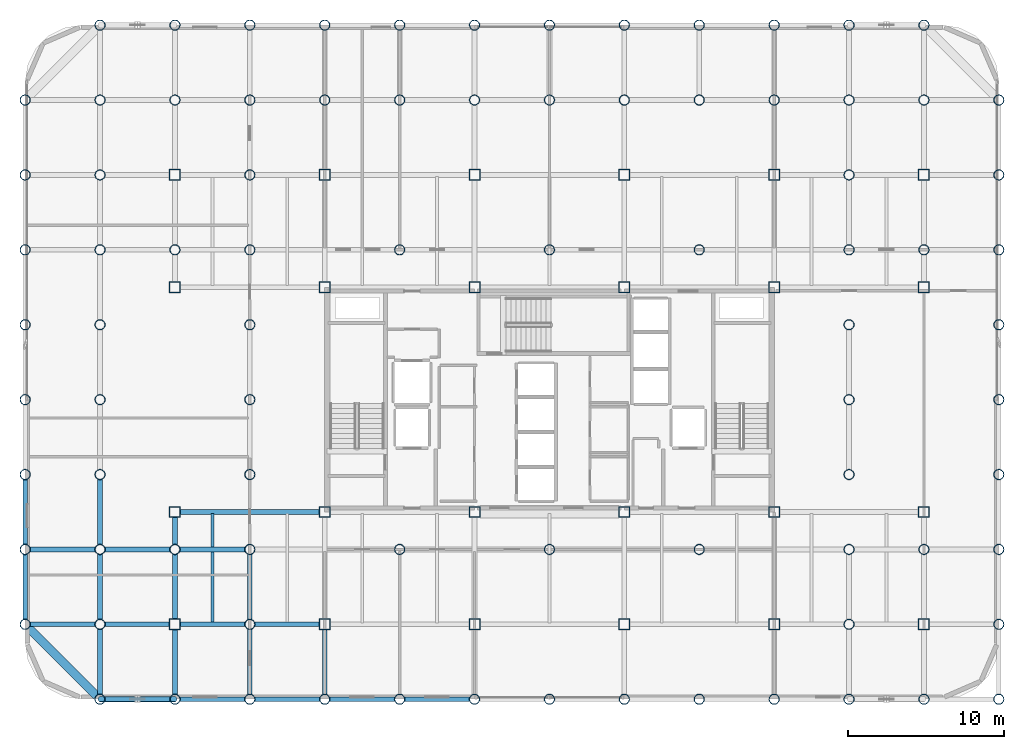
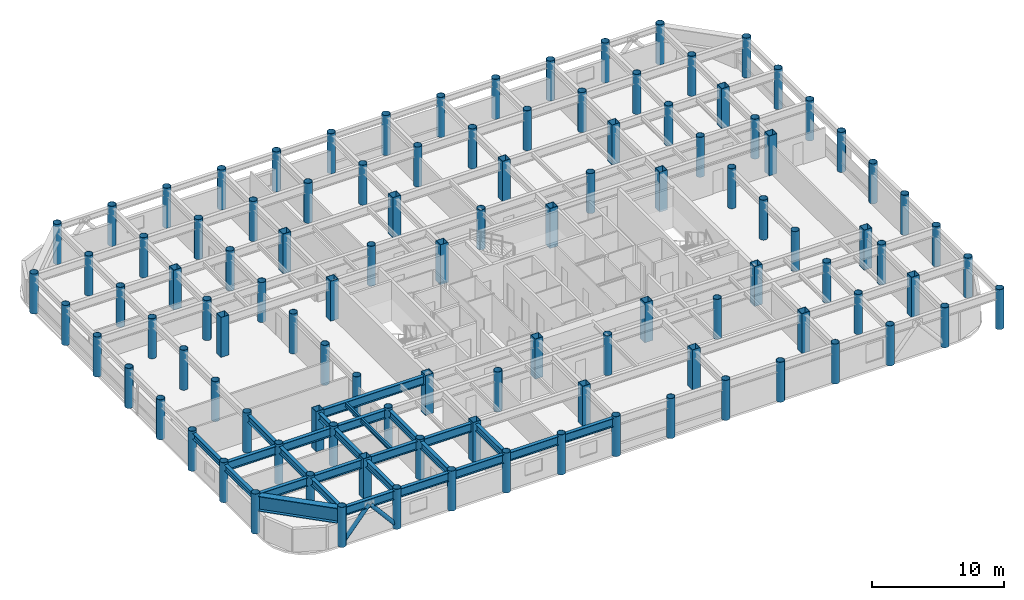
# One storey, part 1 of 19: 108 columns, 26 beams, 2 members.
"""IFC4 building model written with IfcOpenShell, lengths in metres."""

from ifc_helpers import new_model, si_unit, direction, frame, origin, origin_2d, place, context, subcontext, project, spatial, hollow_rectangle, hollow_circle, i_section, extrude, material, material_profile, profile_set, type_object, element, save


model = new_model("IFC4")

# Units and contexts
model_context = context("Model", 3, precision=1e-05, world=origin(), true_north=direction((0.0, 1.0)))
body_context = subcontext(model_context, "Body", "Model", "MODEL_VIEW")
ifc_project = project(units=[si_unit("LENGTHUNIT", "METRE"), si_unit("AREAUNIT", "SQUARE_METRE"), si_unit("VOLUMEUNIT", "CUBIC_METRE"), si_unit("PLANEANGLEUNIT", "RADIAN"), si_unit("MASSUNIT", "GRAM", prefix="KILO")], contexts=[model_context])

# Site, building, storey
site_placement = place(None, origin())
site = spatial("IfcSite", under=ifc_project, at=site_placement, CompositionType="ELEMENT")
building_placement = place(site_placement, origin())
building = spatial("IfcBuilding", under=site, at=building_placement, Name="Kallvorn Hotel Tower", CompositionType="ELEMENT")
storey_placement = place(building_placement, frame((0.0, 0.0, 147.0)))
storey = spatial("IfcBuildingStorey", under=building, at=storey_placement, Name="L36", CompositionType="ELEMENT", Elevation=147.0)

# Columns
ifc_material_1 = material(Name="Structural steel S355J2H", Category="steel")
ifc_material_profile_1 = material_profile(ifc_material_1, hollow_circle(Radius=0.330078125, WallThickness=0.028076171875, at=origin_2d()), Name="CHS 660x28")
ifc_profile_set_1 = profile_set([ifc_material_profile_1], Name="Structural steel S355J2H")
column_type_1 = type_object("IfcColumnType", Name="COL_CHS_660", PredefinedType="COLUMN", material=ifc_profile_set_1)
for number, where, z_axis, x_axis, name in (
    (1, (-33.60009765625, -14.39990234375, 0.0), (0.0, 0.0, 1.0), (1.0, 0.0, 0.0), "L36 Exoskeleton Column EC01"),
    (2, (-33.60009765625, -9.60009765625, 0.0), (0.0, 0.0, 1.0), (1.0, 0.0, 0.0), "L36 Exoskeleton Column EC02"),
    (3, (-33.60009765625, -4.800048828125, 0.0), (0.0, 0.0, 1.0), (1.0, 0.0, 0.0), "L36 Exoskeleton Column EC03"),
    (4, (-33.60009765625, 0.0, 0.0), (0.0, 0.0, 1.0), (1.0, 0.0, 0.0), "L36 Exoskeleton Column EC04"),
    (5, (-33.60009765625, 4.800048828125, 0.0), (0.0, 0.0, 1.0), (1.0, 0.0, 0.0), "L36 Exoskeleton Column EC05"),
    (6, (-33.60009765625, 9.60009765625, 0.0), (0.0, 0.0, 1.0), (1.0, 0.0, 0.0), "L36 Exoskeleton Column EC06"),
    (7, (-33.60009765625, 14.39990234375, 0.0), (0.0, 0.0, 1.0), (1.0, 0.0, 0.0), "L36 Exoskeleton Column EC07"),
    (8, (-33.60009765625, 19.199951171875, 0.0), (0.0, 0.0, 1.0), (1.0, 0.0, 0.0), "L36 Exoskeleton Column EC08"),
    (9, (-28.800048828125, -19.199951171875, 0.0), (0.0, 0.0, 1.0), (1.0, 0.0, 0.0), "L36 Exoskeleton Column EC09"),
    (10, (-28.800048828125, -14.39990234375, 0.0), (0.0, 0.0, 1.0), (1.0, 0.0, 0.0), "L36 Exoskeleton Column EC10"),
    (11, (-28.800048828125, -9.60009765625, 0.0), (0.0, 0.0, 1.0), (1.0, 0.0, 0.0), "L36 Exoskeleton Column EC11"),
    (12, (-28.800048828125, -4.800048828125, 0.0), (0.0, 0.0, 1.0), (1.0, 0.0, 0.0), "L36 Exoskeleton Column EC12"),
    (13, (-28.800048828125, 0.0, 0.0), (0.0, 0.0, 1.0), (1.0, 0.0, 0.0), "L36 Exoskeleton Column EC13"),
    (14, (-28.800048828125, 4.800048828125, 0.0), (0.0, 0.0, 1.0), (1.0, 0.0, 0.0), "L36 Exoskeleton Column EC14"),
    (15, (-28.800048828125, 9.60009765625, 0.0), (0.0, 0.0, 1.0), (1.0, 0.0, 0.0), "L36 Exoskeleton Column EC15"),
    (16, (-28.800048828125, 14.39990234375, 0.0), (0.0, 0.0, 1.0), (1.0, 0.0, 0.0), "L36 Exoskeleton Column EC16"),
    (17, (-28.800048828125, 19.199951171875, 0.0), (0.0, 0.0, 1.0), (1.0, 0.0, 0.0), "L36 Exoskeleton Column EC17"),
    (18, (-28.800048828125, 24.0, 0.0), (0.0, 0.0, 1.0), (1.0, 0.0, 0.0), "L36 Exoskeleton Column EC18"),
    (19, (-24.0, -19.199951171875, 0.0), (0.0, 0.0, 1.0), (1.0, 0.0, 0.0), "L36 Exoskeleton Column EC19"),
    (20, (-24.0, -9.60009765625, 0.0), (0.0, 0.0, 1.0), (1.0, 0.0, 0.0), "L36 Exoskeleton Column EC20"),
    (21, (-24.0, 9.60009765625, 0.0), (0.0, 0.0, 1.0), (1.0, 0.0, 0.0), "L36 Exoskeleton Column EC21"),
    (22, (-24.0, 19.199951171875, 0.0), (0.0, 0.0, 1.0), (1.0, 0.0, 0.0), "L36 Exoskeleton Column EC22"),
    (23, (-24.0, 24.0, 0.0), (0.0, 0.0, 1.0), (1.0, 0.0, 0.0), "L36 Exoskeleton Column EC23"),
    (24, (-19.199951171875, -19.199951171875, 0.0), (0.0, 0.0, 1.0), (1.0, 0.0, 0.0), "L36 Exoskeleton Column EC24"),
    (25, (-19.199951171875, -14.39990234375, 0.0), (0.0, 0.0, 1.0), (1.0, 0.0, 0.0), "L36 Exoskeleton Column EC25"),
    (26, (-19.199951171875, -9.60009765625, 0.0), (0.0, 0.0, 1.0), (1.0, 0.0, 0.0), "L36 Exoskeleton Column EC26"),
    (27, (-19.199951171875, -4.800048828125, 0.0), (0.0, 0.0, 1.0), (1.0, 0.0, 0.0), "L36 Exoskeleton Column EC27"),
    (28, (-19.199951171875, 0.0, 0.0), (0.0, 0.0, 1.0), (1.0, 0.0, 0.0), "L36 Exoskeleton Column EC28"),
    (29, (-19.199951171875, 4.800048828125, 0.0), (0.0, 0.0, 1.0), (1.0, 0.0, 0.0), "L36 Exoskeleton Column EC29"),
    (30, (-19.199951171875, 9.60009765625, 0.0), (0.0, 0.0, 1.0), (1.0, 0.0, 0.0), "L36 Exoskeleton Column EC30"),
    (31, (-19.199951171875, 14.39990234375, 0.0), (0.0, 0.0, 1.0), (1.0, 0.0, 0.0), "L36 Exoskeleton Column EC31"),
    (32, (-19.199951171875, 19.199951171875, 0.0), (0.0, 0.0, 1.0), (1.0, 0.0, 0.0), "L36 Exoskeleton Column EC32"),
    (33, (-19.199951171875, 24.0, 0.0), (0.0, 0.0, 1.0), (1.0, 0.0, 0.0), "L36 Exoskeleton Column EC33"),
    (34, (-14.39990234375, -19.199951171875, 0.0), (0.0, 0.0, 1.0), (1.0, 0.0, 0.0), "L36 Exoskeleton Column EC34"),
    (35, (-14.39990234375, 19.199951171875, 0.0), (0.0, 0.0, 1.0), (1.0, 0.0, 0.0), "L36 Exoskeleton Column EC35"),
    (36, (-14.39990234375, 24.0, 0.0), (0.0, 0.0, 1.0), (1.0, 0.0, 0.0), "L36 Exoskeleton Column EC36"),
    (37, (-9.60009765625, -19.199951171875, 0.0), (0.0, 0.0, 1.0), (1.0, 0.0, 0.0), "L36 Exoskeleton Column EC37"),
    (38, (-9.60009765625, -9.60009765625, 0.0), (0.0, 0.0, 1.0), (1.0, 0.0, 0.0), "L36 Exoskeleton Column EC38"),
    (39, (-9.60009765625, 9.60009765625, 0.0), (0.0, 0.0, 1.0), (1.0, 0.0, 0.0), "L36 Exoskeleton Column EC39"),
    (40, (-9.60009765625, 19.199951171875, 0.0), (0.0, 0.0, 1.0), (1.0, 0.0, 0.0), "L36 Exoskeleton Column EC40"),
    (41, (-9.60009765625, 24.0, 0.0), (0.0, 0.0, 1.0), (1.0, 0.0, 0.0), "L36 Exoskeleton Column EC41"),
    (42, (-4.800048828125, -19.199951171875, 0.0), (0.0, 0.0, 1.0), (1.0, 0.0, 0.0), "L36 Exoskeleton Column EC42"),
    (43, (-4.800048828125, 19.199951171875, 0.0), (0.0, 0.0, 1.0), (1.0, 0.0, 0.0), "L36 Exoskeleton Column EC43"),
    (44, (-4.800048828125, 24.0, 0.0), (0.0, 0.0, 1.0), (1.0, 0.0, 0.0), "L36 Exoskeleton Column EC44"),
    (45, (0.0, -19.199951171875, 0.0), (0.0, 0.0, 1.0), (1.0, 0.0, 0.0), "L36 Exoskeleton Column EC45"),
    (46, (0.0, -9.60009765625, 0.0), (0.0, 0.0, 1.0), (1.0, 0.0, 0.0), "L36 Exoskeleton Column EC46"),
    (47, (0.0, 9.60009765625, 0.0), (0.0, 0.0, 1.0), (1.0, 0.0, 0.0), "L36 Exoskeleton Column EC47"),
    (48, (0.0, 19.199951171875, 0.0), (0.0, 0.0, 1.0), (1.0, 0.0, 0.0), "L36 Exoskeleton Column EC48"),
    (49, (0.0, 24.0, 0.0), (0.0, 0.0, 1.0), (1.0, 0.0, 0.0), "L36 Exoskeleton Column EC49"),
    (50, (4.800048828125, -19.199951171875, 0.0), (0.0, 0.0, 1.0), (1.0, 0.0, 0.0), "L36 Exoskeleton Column EC50"),
    (51, (4.800048828125, 19.199951171875, 0.0), (0.0, 0.0, 1.0), (1.0, 0.0, 0.0), "L36 Exoskeleton Column EC51"),
    (52, (4.800048828125, 24.0, 0.0), (0.0, 0.0, 1.0), (1.0, 0.0, 0.0), "L36 Exoskeleton Column EC52"),
    (53, (9.60009765625, -19.199951171875, 0.0), (0.0, 0.0, 1.0), (1.0, 0.0, 0.0), "L36 Exoskeleton Column EC53"),
    (54, (9.60009765625, -9.60009765625, 0.0), (0.0, 0.0, 1.0), (1.0, 0.0, 0.0), "L36 Exoskeleton Column EC54"),
    (55, (9.60009765625, 9.60009765625, 0.0), (0.0, 0.0, 1.0), (1.0, 0.0, 0.0), "L36 Exoskeleton Column EC55"),
    (56, (9.60009765625, 19.199951171875, 0.0), (0.0, 0.0, 1.0), (1.0, 0.0, 0.0), "L36 Exoskeleton Column EC56"),
    (57, (9.60009765625, 24.0, 0.0), (0.0, 0.0, 1.0), (1.0, 0.0, 0.0), "L36 Exoskeleton Column EC57"),
    (58, (14.39990234375, -19.199951171875, 0.0), (0.0, 0.0, 1.0), (1.0, 0.0, 0.0), "L36 Exoskeleton Column EC58"),
    (59, (14.39990234375, 19.199951171875, 0.0), (0.0, 0.0, 1.0), (1.0, 0.0, 0.0), "L36 Exoskeleton Column EC59"),
    (60, (14.39990234375, 24.0, 0.0), (0.0, 0.0, 1.0), (1.0, 0.0, 0.0), "L36 Exoskeleton Column EC60"),
    (61, (19.199951171875, -19.199951171875, 0.0), (0.0, 0.0, 1.0), (1.0, 0.0, 0.0), "L36 Exoskeleton Column EC61"),
    (62, (19.199951171875, -14.39990234375, 0.0), (0.0, 0.0, 1.0), (1.0, 0.0, 0.0), "L36 Exoskeleton Column EC62"),
    (63, (19.199951171875, -9.60009765625, 0.0), (0.0, 0.0, 1.0), (1.0, 0.0, 0.0), "L36 Exoskeleton Column EC63"),
    (64, (19.199951171875, -4.800048828125, 0.0), (0.0, 0.0, 1.0), (1.0, 0.0, 0.0), "L36 Exoskeleton Column EC64"),
    (65, (19.199951171875, 0.0, 0.0), (0.0, 0.0, 1.0), (1.0, 0.0, 0.0), "L36 Exoskeleton Column EC65"),
    (66, (19.199951171875, 4.800048828125, 0.0), (0.0, 0.0, 1.0), (1.0, 0.0, 0.0), "L36 Exoskeleton Column EC66"),
    (67, (19.199951171875, 9.60009765625, 0.0), (0.0, 0.0, 1.0), (1.0, 0.0, 0.0), "L36 Exoskeleton Column EC67"),
    (68, (19.199951171875, 14.39990234375, 0.0), (0.0, 0.0, 1.0), (1.0, 0.0, 0.0), "L36 Exoskeleton Column EC68"),
    (69, (19.199951171875, 19.199951171875, 0.0), (0.0, 0.0, 1.0), (1.0, 0.0, 0.0), "L36 Exoskeleton Column EC69"),
    (70, (19.199951171875, 24.0, 0.0), (0.0, 0.0, 1.0), (1.0, 0.0, 0.0), "L36 Exoskeleton Column EC70"),
    (71, (24.0, -19.199951171875, 0.0), (0.0, 0.0, 1.0), (1.0, 0.0, 0.0), "L36 Exoskeleton Column EC71"),
    (72, (24.0, -9.60009765625, 0.0), (0.0, 0.0, 1.0), (1.0, 0.0, 0.0), "L36 Exoskeleton Column EC72"),
    (73, (24.0, 9.60009765625, 0.0), (0.0, 0.0, 1.0), (1.0, 0.0, 0.0), "L36 Exoskeleton Column EC73"),
    (74, (24.0, 19.199951171875, 0.0), (0.0, 0.0, 1.0), (1.0, 0.0, 0.0), "L36 Exoskeleton Column EC74"),
    (75, (24.0, 24.0, 0.0), (0.0, 0.0, 1.0), (1.0, 0.0, 0.0), "L36 Exoskeleton Column EC75"),
    (76, (28.800048828125, -19.199951171875, 0.0), (0.0, 0.0, 1.0), (1.0, 0.0, 0.0), "L36 Exoskeleton Column EC76"),
    (77, (28.800048828125, -14.39990234375, 0.0), (0.0, 0.0, 1.0), (1.0, 0.0, 0.0), "L36 Exoskeleton Column EC77"),
    (78, (28.800048828125, -9.60009765625, 0.0), (0.0, 0.0, 1.0), (1.0, 0.0, 0.0), "L36 Exoskeleton Column EC78"),
    (79, (28.800048828125, -4.800048828125, 0.0), (0.0, 0.0, 1.0), (1.0, 0.0, 0.0), "L36 Exoskeleton Column EC79"),
    (80, (28.800048828125, 0.0, 0.0), (0.0, 0.0, 1.0), (1.0, 0.0, 0.0), "L36 Exoskeleton Column EC80"),
    (81, (28.800048828125, 4.800048828125, 0.0), (0.0, 0.0, 1.0), (1.0, 0.0, 0.0), "L36 Exoskeleton Column EC81"),
    (82, (28.800048828125, 9.60009765625, 0.0), (0.0, 0.0, 1.0), (1.0, 0.0, 0.0), "L36 Exoskeleton Column EC82"),
    (83, (28.800048828125, 14.39990234375, 0.0), (0.0, 0.0, 1.0), (1.0, 0.0, 0.0), "L36 Exoskeleton Column EC83"),
    (84, (28.800048828125, 19.199951171875, 0.0), (0.0, 0.0, 1.0), (1.0, 0.0, 0.0), "L36 Exoskeleton Column EC84"),
):
    element("IfcColumn", number, at=place(storey_placement, frame(where, z_axis=z_axis, x_axis=x_axis)), inside=storey, type_object=column_type_1, Name=name, PredefinedType="COLUMN", context=body_context, shape_type="SweptSolid", body=[
        extrude(hollow_circle(Radius=0.330078125, WallThickness=0.028076171875, at=origin_2d()), origin(), (0.0, 0.0, 1.0), 3.699951171875),
    ])
ifc_material_2 = material(Name="Structural steel S355J2H", Category="steel")
ifc_material_profile_2 = material_profile(ifc_material_2, hollow_rectangle(XDim=0.699951171875, YDim=0.699951171875, WallThickness=0.031982421875, at=origin_2d()), Name="RHS 700x700x32")
ifc_profile_set_2 = profile_set([ifc_material_profile_2], Name="Structural steel S355J2H")
column_type_2 = type_object("IfcColumnType", Name="COL_RHS_700", PredefinedType="COLUMN", material=ifc_profile_set_2)
for number, where, z_axis, x_axis, name in (
    (85, (-24.0, -14.39990234375, 0.0), (0.0, 0.0, 1.0), (1.0, 0.0, 0.0), "L36 Inner Column IC01"),
    (86, (-24.0, -7.199951171875, 0.0), (0.0, 0.0, 1.0), (1.0, 0.0, 0.0), "L36 Inner Column IC02"),
    (87, (-24.0, 7.199951171875, 0.0), (0.0, 0.0, 1.0), (1.0, 0.0, 0.0), "L36 Inner Column IC03"),
    (88, (-24.0, 14.39990234375, 0.0), (0.0, 0.0, 1.0), (1.0, 0.0, 0.0), "L36 Inner Column IC04"),
    (89, (-14.39990234375, -14.39990234375, 0.0), (0.0, 0.0, 1.0), (1.0, 0.0, 0.0), "L36 Inner Column IC05"),
    (90, (-14.39990234375, -7.199951171875, 0.0), (0.0, 0.0, 1.0), (1.0, 0.0, 0.0), "L36 Inner Column IC06"),
    (91, (-14.39990234375, 7.199951171875, 0.0), (0.0, 0.0, 1.0), (1.0, 0.0, 0.0), "L36 Inner Column IC07"),
    (92, (-14.39990234375, 14.39990234375, 0.0), (0.0, 0.0, 1.0), (1.0, 0.0, 0.0), "L36 Inner Column IC08"),
    (93, (-4.800048828125, -14.39990234375, 0.0), (0.0, 0.0, 1.0), (1.0, 0.0, 0.0), "L36 Inner Column IC09"),
    (94, (-4.800048828125, -7.199951171875, 0.0), (0.0, 0.0, 1.0), (1.0, 0.0, 0.0), "L36 Inner Column IC10"),
    (95, (-4.800048828125, 7.199951171875, 0.0), (0.0, 0.0, 1.0), (1.0, 0.0, 0.0), "L36 Inner Column IC11"),
    (96, (-4.800048828125, 14.39990234375, 0.0), (0.0, 0.0, 1.0), (1.0, 0.0, 0.0), "L36 Inner Column IC12"),
    (97, (4.800048828125, -14.39990234375, 0.0), (0.0, 0.0, 1.0), (1.0, 0.0, 0.0), "L36 Inner Column IC13"),
    (98, (4.800048828125, -7.199951171875, 0.0), (0.0, 0.0, 1.0), (1.0, 0.0, 0.0), "L36 Inner Column IC14"),
    (99, (4.800048828125, 7.199951171875, 0.0), (0.0, 0.0, 1.0), (1.0, 0.0, 0.0), "L36 Inner Column IC15"),
    (100, (4.800048828125, 14.39990234375, 0.0), (0.0, 0.0, 1.0), (1.0, 0.0, 0.0), "L36 Inner Column IC16"),
    (101, (14.39990234375, -14.39990234375, 0.0), (0.0, 0.0, 1.0), (1.0, 0.0, 0.0), "L36 Inner Column IC17"),
    (102, (14.39990234375, -7.199951171875, 0.0), (0.0, 0.0, 1.0), (1.0, 0.0, 0.0), "L36 Inner Column IC18"),
    (103, (14.39990234375, 7.199951171875, 0.0), (0.0, 0.0, 1.0), (1.0, 0.0, 0.0), "L36 Inner Column IC19"),
    (104, (14.39990234375, 14.39990234375, 0.0), (0.0, 0.0, 1.0), (1.0, 0.0, 0.0), "L36 Inner Column IC20"),
    (105, (24.0, -14.39990234375, 0.0), (0.0, 0.0, 1.0), (1.0, 0.0, 0.0), "L36 Inner Column IC21"),
    (106, (24.0, -7.199951171875, 0.0), (0.0, 0.0, 1.0), (1.0, 0.0, 0.0), "L36 Inner Column IC22"),
    (107, (24.0, 7.199951171875, 0.0), (0.0, 0.0, 1.0), (1.0, 0.0, 0.0), "L36 Inner Column IC23"),
    (108, (24.0, 14.39990234375, 0.0), (0.0, 0.0, 1.0), (1.0, 0.0, 0.0), "L36 Inner Column IC24"),
):
    element("IfcColumn", number, at=place(storey_placement, frame(where, z_axis=z_axis, x_axis=x_axis)), inside=storey, type_object=column_type_2, Name=name, PredefinedType="COLUMN", context=body_context, shape_type="SweptSolid", body=[
        extrude(hollow_rectangle(XDim=0.699951171875, YDim=0.699951171875, WallThickness=0.031982421875, at=origin_2d()), origin(), (0.0, 0.0, 1.0), 3.699951171875),
    ])

# Beams
ifc_material_3 = material(Name="Structural steel S355JR", Category="steel")
ifc_material_profile_3 = material_profile(ifc_material_3, i_section(OverallWidth=0.300048828125, OverallDepth=0.550048828125, WebThickness=0.014892578125, FlangeThickness=0.029052734375, at=origin_2d()), Name="HE 550 B")
ifc_profile_set_3 = profile_set([ifc_material_profile_3], Name="Structural steel S355JR")
beam_type_1 = type_object("IfcBeamType", Name="BM_HE550B", PredefinedType="SPANDREL", material=ifc_profile_set_3)
beam_1_placement = place(storey_placement, frame((-33.60009765625, -14.080078125, 3.2451171875), z_axis=(0.0, 1.0, 0.0), x_axis=(-1.0, 0.0, 0.0)))
element("IfcBeam", 109, at=beam_1_placement, inside=storey, type_object=beam_type_1, Name="L37 Perimeter Spandrel 174", PredefinedType="SPANDREL", context=body_context, shape_type="SweptSolid", body=[
    extrude(i_section(OverallWidth=0.300048828125, OverallDepth=0.550048828125, WebThickness=0.014892578125, FlangeThickness=0.029052734375, at=origin_2d()), origin(), (0.0, 0.0, 1.0), 4.16015625),
])
beam_2_placement = place(storey_placement, frame((-33.60009765625, -9.280029296875, 3.2451171875), z_axis=(0.0, 1.0, 0.0), x_axis=(-1.0, 0.0, 0.0)))
element("IfcBeam", 110, at=beam_2_placement, inside=storey, type_object=beam_type_1, Name="L37 Perimeter Spandrel 175", PredefinedType="SPANDREL", context=body_context, shape_type="SweptSolid", body=[
    extrude(i_section(OverallWidth=0.300048828125, OverallDepth=0.550048828125, WebThickness=0.014892578125, FlangeThickness=0.029052734375, at=origin_2d()), origin(), (0.0, 0.0, 1.0), 4.159912109375),
])
ifc_material_4 = material(Name="Structural steel S355JR", Category="steel")
ifc_material_profile_4 = material_profile(ifc_material_4, i_section(OverallWidth=0.300048828125, OverallDepth=0.64990234375, WebThickness=0.01611328125, FlangeThickness=0.031005859375, at=origin_2d()), Name="HE 650 B")
ifc_profile_set_4 = profile_set([ifc_material_profile_4], Name="Structural steel S355JR")
beam_type_2 = type_object("IfcBeamType", Name="BM_HE650B", PredefinedType="BEAM", material=ifc_profile_set_4)
for number, where, z_axis, x_axis, name in (
    (111, (-28.800048828125, -18.89501953125, 3.195068359375), (0.0, 1.0, 0.0), (-1.0, 0.0, 0.0), "L37 Primary Y-Girder 73"),
    (112, (-28.800048828125, -14.094970703125, 3.195068359375), (0.0, 1.0, 0.0), (-1.0, 0.0, 0.0), "L37 Primary Y-Girder 74"),
    (113, (-28.800048828125, -9.294921875, 3.195068359375), (0.0, 1.0, 0.0), (-1.0, 0.0, 0.0), "L37 Primary Y-Girder 75"),
):
    element("IfcBeam", number, at=place(storey_placement, frame(where, z_axis=z_axis, x_axis=x_axis)), inside=storey, type_object=beam_type_2, Name=name, PredefinedType="BEAM", context=body_context, shape_type="SweptSolid", body=[
        extrude(i_section(OverallWidth=0.300048828125, OverallDepth=0.64990234375, WebThickness=0.01611328125, FlangeThickness=0.031005859375, at=origin_2d()), origin(), (0.0, 0.0, 1.0), 4.18994140625),
    ])
for number, where, z_axis, x_axis, name in (
    (114, (-24.0, -18.89501953125, 3.195068359375), (0.0, 1.0, 0.0), (-1.0, 0.0, 0.0), "L37 Primary Y-Girder 82"),
    (115, (-24.0, -14.074951171875, 3.195068359375), (0.0, 1.0, 0.0), (-1.0, 0.0, 0.0), "L37 Primary Y-Girder 83"),
):
    element("IfcBeam", number, at=place(storey_placement, frame(where, z_axis=z_axis, x_axis=x_axis)), inside=storey, type_object=beam_type_2, Name=name, PredefinedType="BEAM", context=body_context, shape_type="SweptSolid", body=[
        extrude(i_section(OverallWidth=0.300048828125, OverallDepth=0.64990234375, WebThickness=0.01611328125, FlangeThickness=0.031005859375, at=origin_2d()), origin(), (0.0, 0.0, 1.0), 4.169921875),
    ])
beam_3_placement = place(storey_placement, frame((-24.0, -9.294921875, 3.195068359375), z_axis=(0.0, 1.0, 0.0), x_axis=(-1.0, 0.0, 0.0)))
element("IfcBeam", 116, at=beam_3_placement, inside=storey, type_object=beam_type_2, Name="L37 Primary Y-Girder 84", PredefinedType="BEAM", context=body_context, shape_type="SweptSolid", body=[
    extrude(i_section(OverallWidth=0.300048828125, OverallDepth=0.64990234375, WebThickness=0.01611328125, FlangeThickness=0.031005859375, at=origin_2d()), origin(), (0.0, 0.0, 1.0), 1.77001953125),
])
for number, where, z_axis, x_axis, name in (
    (117, (-19.199951171875, -18.89501953125, 3.195068359375), (0.0, 1.0, 0.0), (-1.0, 0.0, 0.0), "L37 Primary Y-Girder 89"),
    (118, (-19.199951171875, -14.094970703125, 3.195068359375), (0.0, 1.0, 0.0), (-1.0, 0.0, 0.0), "L37 Primary Y-Girder 90"),
):
    element("IfcBeam", number, at=place(storey_placement, frame(where, z_axis=z_axis, x_axis=x_axis)), inside=storey, type_object=beam_type_2, Name=name, PredefinedType="BEAM", context=body_context, shape_type="SweptSolid", body=[
        extrude(i_section(OverallWidth=0.300048828125, OverallDepth=0.64990234375, WebThickness=0.01611328125, FlangeThickness=0.031005859375, at=origin_2d()), origin(), (0.0, 0.0, 1.0), 4.18994140625),
    ])
beam_4_placement = place(storey_placement, frame((-14.39990234375, -18.89501953125, 3.195068359375), z_axis=(0.0, 1.0, 0.0), x_axis=(-1.0, 0.0, 0.0)))
element("IfcBeam", 119, at=beam_4_placement, inside=storey, type_object=beam_type_2, Name="L37 Primary Y-Girder 98", PredefinedType="BEAM", context=body_context, shape_type="SweptSolid", body=[
    extrude(i_section(OverallWidth=0.300048828125, OverallDepth=0.64990234375, WebThickness=0.01611328125, FlangeThickness=0.031005859375, at=origin_2d()), origin(), (0.0, 0.0, 1.0), 4.169921875),
])
ifc_material_5 = material(Name="Structural steel S355JR", Category="steel")
ifc_material_profile_5 = material_profile(ifc_material_5, i_section(OverallWidth=0.300048828125, OverallDepth=0.800048828125, WebThickness=0.017578125, FlangeThickness=0.032958984375, at=origin_2d()), Name="HE 800 B")
ifc_profile_set_5 = profile_set([ifc_material_profile_5], Name="Structural steel S355JR")
beam_type_3 = type_object("IfcBeamType", Name="BM_HE800B", PredefinedType="BEAM", material=ifc_profile_set_5)
for number, where, z_axis, x_axis, name in (
    (120, (-28.4951171875, -19.199951171875, 3.1201171875), (1.0, 0.0, 0.0), (0.0, 1.0, 0.0), "L37 Primary X-Girder 01"),
    (121, (-23.695068359375, -19.199951171875, 3.1201171875), (1.0, 0.0, 0.0), (0.0, 1.0, 0.0), "L37 Primary X-Girder 02"),
):
    element("IfcBeam", number, at=place(storey_placement, frame(where, z_axis=z_axis, x_axis=x_axis)), inside=storey, type_object=beam_type_3, Name=name, PredefinedType="BEAM", context=body_context, shape_type="SweptSolid", body=[
        extrude(i_section(OverallWidth=0.300048828125, OverallDepth=0.800048828125, WebThickness=0.017578125, FlangeThickness=0.032958984375, at=origin_2d()), origin(), (0.0, 0.0, 1.0), 4.190185546875),
    ])
for number, where, z_axis, x_axis, name in (
    (122, (-18.89501953125, -19.199951171875, 3.1201171875), (1.0, 0.0, 0.0), (0.0, 1.0, 0.0), "L37 Primary X-Girder 03"),
    (123, (-14.094970703125, -19.199951171875, 3.1201171875), (1.0, 0.0, 0.0), (0.0, 1.0, 0.0), "L37 Primary X-Girder 04"),
    (124, (-9.294921875, -19.199951171875, 3.1201171875), (1.0, 0.0, 0.0), (0.0, 1.0, 0.0), "L37 Primary X-Girder 05"),
    (125, (-33.294921875, -14.39990234375, 3.1201171875), (1.0, 0.0, 0.0), (0.0, 1.0, 0.0), "L37 Primary X-Girder 13"),
):
    element("IfcBeam", number, at=place(storey_placement, frame(where, z_axis=z_axis, x_axis=x_axis)), inside=storey, type_object=beam_type_3, Name=name, PredefinedType="BEAM", context=body_context, shape_type="SweptSolid", body=[
        extrude(i_section(OverallWidth=0.300048828125, OverallDepth=0.800048828125, WebThickness=0.017578125, FlangeThickness=0.032958984375, at=origin_2d()), origin(), (0.0, 0.0, 1.0), 4.18994140625),
    ])
for number, where, z_axis, x_axis, name in (
    (126, (-28.4951171875, -14.39990234375, 3.1201171875), (1.0, 0.0, 0.0), (0.0, 1.0, 0.0), "L37 Primary X-Girder 14"),
    (127, (-23.675048828125, -14.39990234375, 3.1201171875), (1.0, 0.0, 0.0), (0.0, 1.0, 0.0), "L37 Primary X-Girder 15"),
):
    element("IfcBeam", number, at=place(storey_placement, frame(where, z_axis=z_axis, x_axis=x_axis)), inside=storey, type_object=beam_type_3, Name=name, PredefinedType="BEAM", context=body_context, shape_type="SweptSolid", body=[
        extrude(i_section(OverallWidth=0.300048828125, OverallDepth=0.800048828125, WebThickness=0.017578125, FlangeThickness=0.032958984375, at=origin_2d()), origin(), (0.0, 0.0, 1.0), 4.170166015625),
    ])
beam_5_placement = place(storey_placement, frame((-18.89501953125, -14.39990234375, 3.1201171875), z_axis=(1.0, 0.0, 0.0), x_axis=(0.0, 1.0, 0.0)))
element("IfcBeam", 128, at=beam_5_placement, inside=storey, type_object=beam_type_3, Name="L37 Primary X-Girder 16", PredefinedType="BEAM", context=body_context, shape_type="SweptSolid", body=[
    extrude(i_section(OverallWidth=0.300048828125, OverallDepth=0.800048828125, WebThickness=0.017578125, FlangeThickness=0.032958984375, at=origin_2d()), origin(), (0.0, 0.0, 1.0), 4.169921875),
])
beam_6_placement = place(storey_placement, frame((-33.294921875, -9.60009765625, 3.1201171875), z_axis=(1.0, 0.0, 0.0), x_axis=(0.0, 1.0, 0.0)))
element("IfcBeam", 129, at=beam_6_placement, inside=storey, type_object=beam_type_3, Name="L37 Primary X-Girder 23", PredefinedType="BEAM", context=body_context, shape_type="SweptSolid", body=[
    extrude(i_section(OverallWidth=0.300048828125, OverallDepth=0.800048828125, WebThickness=0.017578125, FlangeThickness=0.032958984375, at=origin_2d()), origin(), (0.0, 0.0, 1.0), 4.18994140625),
])
for number, where, z_axis, x_axis, name in (
    (130, (-28.4951171875, -9.60009765625, 3.1201171875), (1.0, 0.0, 0.0), (0.0, 1.0, 0.0), "L37 Primary X-Girder 24"),
    (131, (-23.695068359375, -9.60009765625, 3.1201171875), (1.0, 0.0, 0.0), (0.0, 1.0, 0.0), "L37 Primary X-Girder 25"),
):
    element("IfcBeam", number, at=place(storey_placement, frame(where, z_axis=z_axis, x_axis=x_axis)), inside=storey, type_object=beam_type_3, Name=name, PredefinedType="BEAM", context=body_context, shape_type="SweptSolid", body=[
        extrude(i_section(OverallWidth=0.300048828125, OverallDepth=0.800048828125, WebThickness=0.017578125, FlangeThickness=0.032958984375, at=origin_2d()), origin(), (0.0, 0.0, 1.0), 4.190185546875),
    ])
beam_7_placement = place(storey_placement, frame((-23.675048828125, -7.199951171875, 3.1201171875), z_axis=(1.0, 0.0, 0.0), x_axis=(0.0, 1.0, 0.0)))
element("IfcBeam", 132, at=beam_7_placement, inside=storey, type_object=beam_type_3, Name="L37 Primary X-Girder 32", PredefinedType="BEAM", context=body_context, shape_type="SweptSolid", body=[
    extrude(i_section(OverallWidth=0.300048828125, OverallDepth=0.800048828125, WebThickness=0.017578125, FlangeThickness=0.032958984375, at=origin_2d()), origin(), (0.0, 0.0, 1.0), 8.949951171875),
])
ifc_material_6 = material(Name="Structural steel S355JR", Category="steel")
ifc_material_profile_6 = material_profile(ifc_material_6, i_section(OverallWidth=0.179931640625, OverallDepth=0.39990234375, WebThickness=0.008544921875, FlangeThickness=0.013427734375, at=origin_2d()), Name="IPE 400")
ifc_profile_set_6 = profile_set([ifc_material_profile_6], Name="Structural steel S355JR")
beam_type_4 = type_object("IfcBeamType", Name="BM_IPE400", PredefinedType="JOIST", material=ifc_profile_set_6)
beam_8_placement = place(storey_placement, frame((-21.60009765625, -14.300048828125, 3.320068359375), z_axis=(0.0, 1.0, 0.0), x_axis=(-1.0, 0.0, 0.0)))
element("IfcBeam", 133, at=beam_8_placement, inside=storey, type_object=beam_type_4, Name="L37 Secondary Composite Joist 192", PredefinedType="JOIST", context=body_context, shape_type="SweptSolid", body=[
    extrude(i_section(OverallWidth=0.179931640625, OverallDepth=0.39990234375, WebThickness=0.008544921875, FlangeThickness=0.013427734375, at=origin_2d()), origin(), (0.0, 0.0, 1.0), 7.0),
])
ifc_material_7 = material(Name="Structural steel S355JR", Category="steel")
ifc_material_profile_7 = material_profile(ifc_material_7, i_section(OverallWidth=0.550048828125, OverallDepth=1.39990234375, WebThickness=0.02490234375, FlangeThickness=0.044921875, at=origin_2d()), Name="PG 1400x550x25x45")
ifc_profile_set_7 = profile_set([ifc_material_profile_7], Name="Structural steel S355JR")
beam_type_5 = type_object("IfcBeamType", Name="BM_PG_1400", PredefinedType="BEAM", material=ifc_profile_set_7)
beam_9_placement = place(storey_placement, frame((-33.373779296875, -14.626220703125, 2.820068359375), z_axis=(0.707106781187, -0.707106781187, 0.0), x_axis=(0.707106781187, 0.707106781187, 0.0)))
element("IfcBeam", 134, at=beam_9_placement, inside=storey, type_object=beam_type_5, Name="L37 Rounded Corner Tie Beam 189", PredefinedType="BEAM", context=body_context, shape_type="SweptSolid", body=[
    extrude(i_section(OverallWidth=0.550048828125, OverallDepth=1.39990234375, WebThickness=0.02490234375, FlangeThickness=0.044921875, at=origin_2d()), origin(), (0.0, 0.0, 1.0), 6.148193359375),
])

# Members
ifc_material_8 = material(Name="Structural steel S355J2H", Category="steel")
ifc_material_profile_8 = material_profile(ifc_material_8, hollow_circle(Radius=0.177734375, WallThickness=0.01416015625, at=origin_2d()), Name="CHS 355.6x14.2")
ifc_profile_set_8 = profile_set([ifc_material_profile_8], Name="Structural steel S355J2H")
member_type = type_object("IfcMemberType", Name="MBR_EXO_CHS355", PredefinedType="BRACE", material=ifc_profile_set_8)
for number, where, z_axis, x_axis, name in (
    (135, (-28.787109375, -19.199951171875, 0.1953125), (0.646833296797, 0.0, 0.762631422218), (0.0, 1.0, 0.0), "L36 Exoskeleton K-Brace S1A"),
    (136, (-24.012939453125, -19.199951171875, 0.1953125), (-0.646833296797, 0.0, 0.762631422218), (0.0, -1.0, 0.0), "L36 Exoskeleton K-Brace S1B"),
):
    element("IfcMember", number, at=place(storey_placement, frame(where, z_axis=z_axis, x_axis=x_axis)), inside=storey, type_object=member_type, Name=name, PredefinedType="BRACE", context=body_context, shape_type="SweptSolid", body=[
        extrude(hollow_circle(Radius=0.177734375, WallThickness=0.01416015625, at=origin_2d()), origin(), (0.0, 0.0, 1.0), 3.670654296875),
    ])

save(model, "model.ifc")
